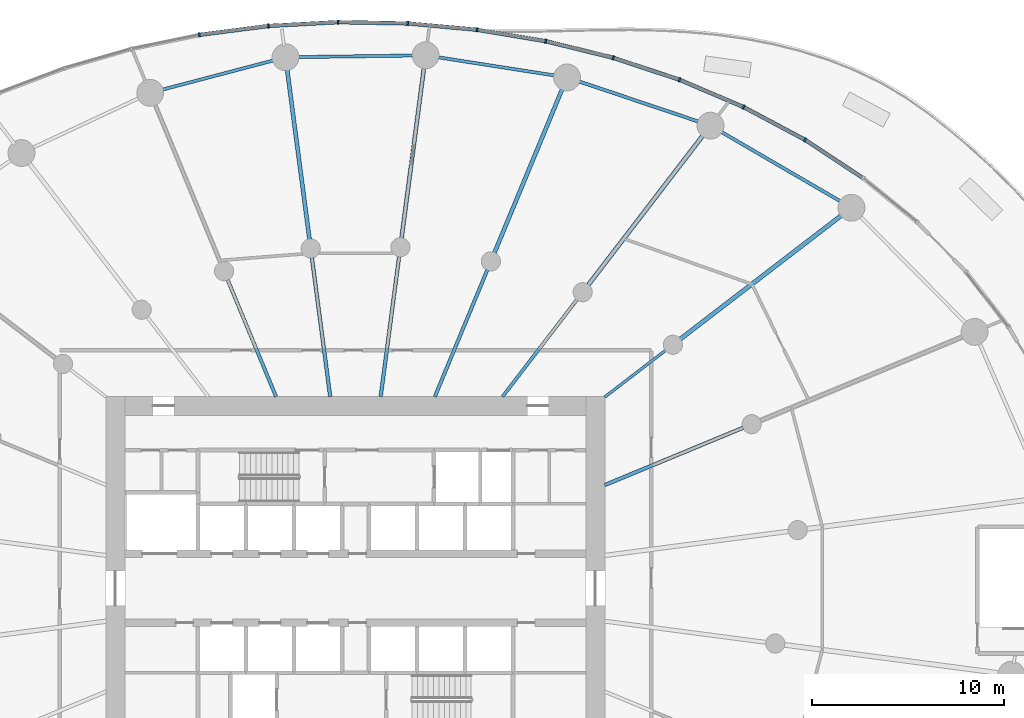
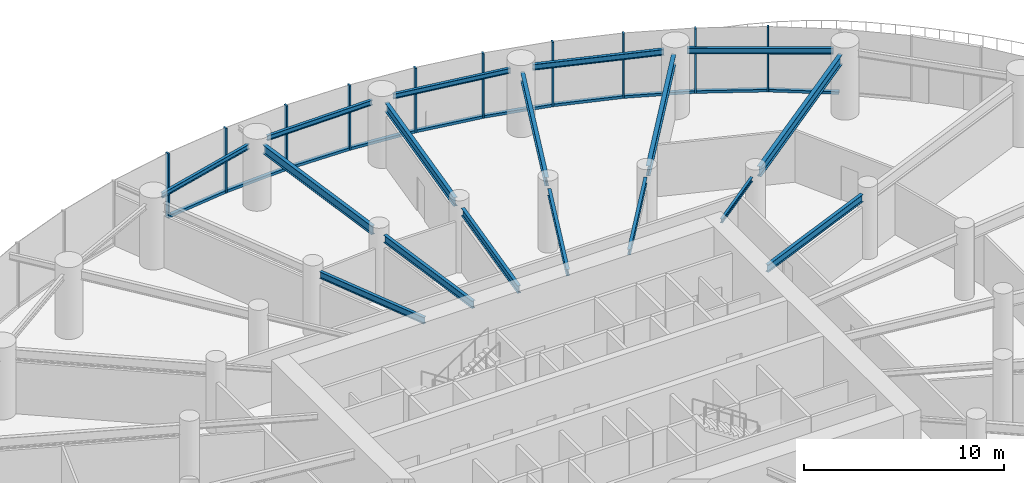
# One storey, part 6 of 21: 20 members, 17 beams, 2 elements without a shape of their own.
"""IFC4 building model written with IfcOpenShell, lengths in metres."""

from ifc_helpers import new_model, si_unit, direction, frame, origin, origin_2d, place, context, subcontext, project, spatial, rectangle, i_section, extrude, source, transform, mapped, material, layer, layer_set, material_profile, profile_set, type_object, element, aggregate, save


model = new_model("IFC4")

# Units and contexts
model_context = context("Model", 3, precision=1e-05, world=origin(), true_north=direction((0.0, 1.0)))
body_context = subcontext(model_context, "Body", "Model", "MODEL_VIEW")
ifc_project = project(units=[si_unit("LENGTHUNIT", "METRE"), si_unit("AREAUNIT", "SQUARE_METRE"), si_unit("VOLUMEUNIT", "CUBIC_METRE"), si_unit("PLANEANGLEUNIT", "RADIAN"), si_unit("MASSUNIT", "GRAM", prefix="KILO")], contexts=[model_context])

# Site, building, storey
site_placement = place(None, origin())
site = spatial("IfcSite", under=ifc_project, at=site_placement, CompositionType="ELEMENT")
building_placement = place(site_placement, origin())
building = spatial("IfcBuilding", under=site, at=building_placement, Name="Spindrift Exchange Tower", CompositionType="ELEMENT")
storey_placement = place(building_placement, frame((0.0, 0.0, 18.199951171875)))
storey = spatial("IfcBuildingStorey", under=building, at=storey_placement, Name="L04", CompositionType="ELEMENT", Elevation=18.199951171875)

# Beams
ifc_material_1 = material(Name="Steel Grade 300", Category="steel")
ifc_material_profile_1 = material_profile(ifc_material_1, i_section(OverallWidth=0.18994140625, OverallDepth=0.45703125, WebThickness=0.009033203125, FlangeThickness=0.014404296875, FilletRadius=0.013916015625, at=origin_2d()), Name="460UB74.6")
ifc_profile_set_1 = profile_set([ifc_material_profile_1], Name="Steel Grade 300")
beam_type_1 = type_object("IfcBeamType", Name="Floor Beam 460UB74.6 Steel Grade 300", PredefinedType="BEAM", material=ifc_profile_set_1)
shared_shape_1 = source(origin(), body_context, "Body", "SweptSolid", [
    extrude(i_section(OverallWidth=0.18994140625, OverallDepth=0.45703125, WebThickness=0.009033203125, FlangeThickness=0.014404296875, FilletRadius=0.013916015625, at=origin_2d()), origin(), (0.0, 0.0, 1.0), 7.808837890625),
])
beam_1_placement = place(storey_placement, frame((64.9814453125, 53.377197265625, 3.721435546875), z_axis=(0.92387965154, 0.382683145003, 0.0), x_axis=(-0.382683145003, 0.92387965154, 0.0)))
element("IfcBeam", 1, at=beam_1_placement, inside=storey, type_object=beam_type_1, Name="L04 radial beam R02A", PredefinedType="BEAM", context=body_context, shape_type="MappedRepresentation", body=[
    mapped(shared_shape_1, transform((0.0, 0.0, 0.0), scale=1.0)),
])
ifc_material_profile_2 = material_profile(ifc_material_1, i_section(OverallWidth=0.14599609375, OverallDepth=0.251953125, WebThickness=0.006103515625, FlangeThickness=0.008544921875, FilletRadius=0.011962890625, at=origin_2d()), Name="250UB31.4")
ifc_profile_set_2 = profile_set([ifc_material_profile_2], Name="Steel Grade 300")
beam_type_2 = type_object("IfcBeamType", Name="Floor Beam 250UB31.4 Steel Grade 300", PredefinedType="BEAM", material=ifc_profile_set_2)
shared_shape_2 = source(origin(), body_context, "Body", "SweptSolid", [
    extrude(i_section(OverallWidth=0.14599609375, OverallDepth=0.251953125, WebThickness=0.006103515625, FlangeThickness=0.008544921875, FilletRadius=0.011962890625, at=origin_2d()), origin(), (0.0, 0.0, 1.0), 3.99560546875),
])
beam_2_placement = place(storey_placement, frame((64.984130859375, 57.963134765625, 3.823974609375), z_axis=(0.793352561574, 0.608762443851, 0.0), x_axis=(-0.608762443851, 0.793352561574, 0.0)))
element("IfcBeam", 2, at=beam_2_placement, inside=storey, type_object=beam_type_2, Name="L04 radial beam R03A", PredefinedType="BEAM", context=body_context, shape_type="MappedRepresentation", body=[
    mapped(shared_shape_2, transform((0.0, 0.0, 0.0), scale=1.0)),
])
ifc_material_profile_3 = material_profile(ifc_material_1, i_section(OverallWidth=0.22802734375, OverallDepth=0.60693359375, WebThickness=0.01123046875, FlangeThickness=0.017333984375, FilletRadius=0.013916015625, at=origin_2d()), Name="610UB113")
ifc_profile_set_3 = profile_set([ifc_material_profile_3], Name="Steel Grade 300")
beam_type_3 = type_object("IfcBeamType", Name="Floor Beam 610UB113 Steel Grade 300", PredefinedType="BEAM", material=ifc_profile_set_3)
shared_shape_3 = source(origin(), body_context, "Body", "SweptSolid", [
    extrude(i_section(OverallWidth=0.22802734375, OverallDepth=0.60693359375, WebThickness=0.01123046875, FlangeThickness=0.017333984375, FilletRadius=0.013916015625, at=origin_2d()), origin(), (0.0, 0.0, 1.0), 10.66357421875),
])
beam_3_placement = place(storey_placement, frame((68.91552734375, 60.979736328125, 3.646484375), z_axis=(0.793357926757, 0.608755451764, 0.0), x_axis=(-0.608755451764, 0.793357926757, 0.0)))
element("IfcBeam", 3, at=beam_3_placement, inside=storey, type_object=beam_type_3, Name="L04 radial beam R03B", PredefinedType="BEAM", context=body_context, shape_type="MappedRepresentation", body=[
    mapped(shared_shape_3, transform((0.0, 0.0, 0.0), scale=1.0)),
])
ifc_material_profile_4 = material_profile(ifc_material_1, i_section(OverallWidth=0.172119140625, OverallDepth=0.35888671875, WebThickness=0.008056640625, FlangeThickness=0.012939453125, FilletRadius=0.013916015625, at=origin_2d()), Name="360UB56.7")
ifc_profile_set_4 = profile_set([ifc_material_profile_4], Name="Steel Grade 300")
beam_type_4 = type_object("IfcBeamType", Name="Floor Beam 360UB56.7 Steel Grade 300", PredefinedType="BEAM", material=ifc_profile_set_4)
shared_shape_4 = source(origin(), body_context, "Body", "SweptSolid", [
    extrude(i_section(OverallWidth=0.172119140625, OverallDepth=0.35888671875, WebThickness=0.008056640625, FlangeThickness=0.012939453125, FilletRadius=0.013916015625, at=origin_2d()), origin(), (0.0, 0.0, 1.0), 6.37646484375),
])
beam_4_placement = place(storey_placement, frame((59.6611328125, 57.984130859375, 3.7705078125), z_axis=(0.608766669952, 0.793349318747, 0.0), x_axis=(-0.793349318747, 0.608766669952, 0.0)))
element("IfcBeam", 4, at=beam_4_placement, inside=storey, type_object=beam_type_4, Name="L04 radial beam R04A", PredefinedType="BEAM", context=body_context, shape_type="MappedRepresentation", body=[
    mapped(shared_shape_4, transform((0.0, 0.0, 0.0), scale=1.0)),
])
shared_shape_5 = source(origin(), body_context, "Body", "SweptSolid", [
    extrude(i_section(OverallWidth=0.22802734375, OverallDepth=0.60693359375, WebThickness=0.01123046875, FlangeThickness=0.017333984375, FilletRadius=0.013916015625, at=origin_2d()), origin(), (0.0, 0.0, 1.0), 9.87548828125),
])
beam_5_placement = place(storey_placement, frame((64.127197265625, 63.8046875, 3.646484375), z_axis=(0.608772470836, 0.793344867477, 0.0), x_axis=(-0.793344867477, 0.608772470836, 0.0)))
element("IfcBeam", 5, at=beam_5_placement, inside=storey, type_object=beam_type_3, Name="L04 radial beam R04B", PredefinedType="BEAM", context=body_context, shape_type="MappedRepresentation", body=[
    mapped(shared_shape_5, transform((0.0, 0.0, 0.0), scale=1.0)),
])
ifc_material_profile_5 = material_profile(ifc_material_1, i_section(OverallWidth=0.177978515625, OverallDepth=0.406005859375, WebThickness=0.0078125, FlangeThickness=0.0126953125, FilletRadius=0.013916015625, at=origin_2d()), Name="410UB59.7")
ifc_profile_set_5 = profile_set([ifc_material_profile_5], Name="Steel Grade 300")
beam_type_5 = type_object("IfcBeamType", Name="Floor Beam 410UB59.7 Steel Grade 300", PredefinedType="BEAM", material=ifc_profile_set_5)
shared_shape_6 = source(origin(), body_context, "Body", "SweptSolid", [
    extrude(i_section(OverallWidth=0.177978515625, OverallDepth=0.406005859375, WebThickness=0.0078125, FlangeThickness=0.0126953125, FilletRadius=0.013916015625, at=origin_2d()), origin(), (0.0, 0.0, 1.0), 7.150634765625),
])
beam_6_placement = place(storey_placement, frame((56.134521484375, 57.9814453125, 3.7470703125), z_axis=(0.382665393358, 0.923887004306, 0.0), x_axis=(-0.923887004306, 0.382665393358, 0.0)))
element("IfcBeam", 6, at=beam_6_placement, inside=storey, type_object=beam_type_5, Name="L04 radial beam R05A", PredefinedType="BEAM", context=body_context, shape_type="MappedRepresentation", body=[
    mapped(shared_shape_6, transform((0.0, 0.0, 0.0), scale=1.0)),
])
ifc_material_profile_6 = material_profile(ifc_material_1, i_section(OverallWidth=0.208984375, OverallDepth=0.532958984375, WebThickness=0.01025390625, FlangeThickness=0.015625, FilletRadius=0.013916015625, at=origin_2d()), Name="530UB92.4")
ifc_profile_set_6 = profile_set([ifc_material_profile_6], Name="Steel Grade 300")
beam_type_6 = type_object("IfcBeamType", Name="Floor Beam 530UB92.4 Steel Grade 300", PredefinedType="BEAM", material=ifc_profile_set_6)
shared_shape_7 = source(origin(), body_context, "Body", "SweptSolid", [
    extrude(i_section(OverallWidth=0.208984375, OverallDepth=0.532958984375, WebThickness=0.01025390625, FlangeThickness=0.015625, FilletRadius=0.013916015625, at=origin_2d()), origin(), (0.0, 0.0, 1.0), 9.309326171875),
])
beam_7_placement = place(storey_placement, frame((59.23828125, 65.474853515625, 3.68359375), z_axis=(0.382685326691, 0.923878747853, 0.0), x_axis=(-0.923878747853, 0.382685326691, 0.0)))
element("IfcBeam", 7, at=beam_7_placement, inside=storey, type_object=beam_type_6, Name="L04 radial beam R05B", PredefinedType="BEAM", context=body_context, shape_type="MappedRepresentation", body=[
    mapped(shared_shape_7, transform((0.0, 0.0, 0.0), scale=1.0)),
])
shared_shape_8 = source(origin(), body_context, "Body", "SweptSolid", [
    extrude(i_section(OverallWidth=0.18994140625, OverallDepth=0.45703125, WebThickness=0.009033203125, FlangeThickness=0.014404296875, FilletRadius=0.013916015625, at=origin_2d()), origin(), (0.0, 0.0, 1.0), 7.374267578125),
])
beam_8_placement = place(storey_placement, frame((53.31396484375, 57.980224609375, 3.721435546875), z_axis=(0.130539295622, 0.99144313619, 0.0), x_axis=(-0.99144313619, 0.130539295622, 0.0)))
element("IfcBeam", 8, at=beam_8_placement, inside=storey, type_object=beam_type_1, Name="L04 radial beam R06A", PredefinedType="BEAM", context=body_context, shape_type="MappedRepresentation", body=[
    mapped(shared_shape_8, transform((0.0, 0.0, 0.0), scale=1.0)),
])
shared_shape_9 = source(origin(), body_context, "Body", "SweptSolid", [
    extrude(i_section(OverallWidth=0.208984375, OverallDepth=0.532958984375, WebThickness=0.01025390625, FlangeThickness=0.015625, FilletRadius=0.013916015625, at=origin_2d()), origin(), (0.0, 0.0, 1.0), 9.020263671875),
])
beam_9_placement = place(storey_placement, frame((54.40185546875, 66.2431640625, 3.68359375), z_axis=(0.13051122338, 0.991446831944, 0.0), x_axis=(-0.991446831944, 0.13051122338, 0.0)))
element("IfcBeam", 9, at=beam_9_placement, inside=storey, type_object=beam_type_6, Name="L04 radial beam R06B", PredefinedType="BEAM", context=body_context, shape_type="MappedRepresentation", body=[
    mapped(shared_shape_9, transform((0.0, 0.0, 0.0), scale=1.0)),
])
shared_shape_10 = source(origin(), body_context, "Body", "SweptSolid", [
    extrude(i_section(OverallWidth=0.18994140625, OverallDepth=0.45703125, WebThickness=0.009033203125, FlangeThickness=0.014404296875, FilletRadius=0.013916015625, at=origin_2d()), origin(), (0.0, 0.0, 1.0), 7.3095703125),
])
beam_10_placement = place(storey_placement, frame((50.68603515625, 57.980224609375, 3.721435546875), z_axis=(-0.130527087244, 0.991444743541, 0.0), x_axis=(-0.991444743541, -0.130527087244, 0.0)))
element("IfcBeam", 10, at=beam_10_placement, inside=storey, type_object=beam_type_1, Name="L04 radial beam R07A", PredefinedType="BEAM", context=body_context, shape_type="MappedRepresentation", body=[
    mapped(shared_shape_10, transform((0.0, 0.0, 0.0), scale=1.0)),
])
shared_shape_11 = source(origin(), body_context, "Body", "SweptSolid", [
    extrude(i_section(OverallWidth=0.208984375, OverallDepth=0.532958984375, WebThickness=0.01025390625, FlangeThickness=0.015625, FilletRadius=0.013916015625, at=origin_2d()), origin(), (0.0, 0.0, 1.0), 8.98388671875),
])
beam_11_placement = place(storey_placement, frame((49.606689453125, 66.17919921875, 3.68359375), z_axis=(-0.130524106785, 0.991445135924, 0.0), x_axis=(-0.991445135924, -0.130524106785, 0.0)))
element("IfcBeam", 11, at=beam_11_placement, inside=storey, type_object=beam_type_6, Name="L04 radial beam R07B", PredefinedType="BEAM", context=body_context, shape_type="MappedRepresentation", body=[
    mapped(shared_shape_11, transform((0.0, 0.0, 0.0), scale=1.0)),
])
shared_shape_12 = source(origin(), body_context, "Body", "SweptSolid", [
    extrude(i_section(OverallWidth=0.177978515625, OverallDepth=0.406005859375, WebThickness=0.0078125, FlangeThickness=0.0126953125, FilletRadius=0.013916015625, at=origin_2d()), origin(), (0.0, 0.0, 1.0), 6.594482421875),
])
beam_12_placement = place(storey_placement, frame((47.865478515625, 57.9814453125, 3.7470703125), z_axis=(-0.382692929746, 0.92387559851, 0.0), x_axis=(-0.92387559851, -0.382692929746, 0.0)))
element("IfcBeam", 12, at=beam_12_placement, inside=storey, type_object=beam_type_5, Name="L04 radial beam R08A", PredefinedType="BEAM", context=body_context, shape_type="MappedRepresentation", body=[
    mapped(shared_shape_12, transform((0.0, 0.0, 0.0), scale=1.0)),
])
ifc_material_profile_7 = material_profile(ifc_material_1, i_section(OverallWidth=0.172119140625, OverallDepth=0.35888671875, WebThickness=0.008056640625, FlangeThickness=0.012939453125, FilletRadius=0.013916015625, at=origin_2d()), Name="360UB56.7")
ifc_profile_set_7 = profile_set([ifc_material_profile_7], Name="Steel Grade 300")
beam_type_7 = type_object("IfcBeamType", Name="Edge Beam 360UB56.7 Steel Grade 300", PredefinedType="SPANDREL", material=ifc_profile_set_7)
shared_shape_13 = source(origin(), body_context, "Body", "SweptSolid", [
    extrude(i_section(OverallWidth=0.172119140625, OverallDepth=0.35888671875, WebThickness=0.008056640625, FlangeThickness=0.012939453125, FilletRadius=0.013916015625, at=origin_2d()), origin(), (0.0, 0.0, 1.0), 7.33740234375),
])
beam_13_placement = place(storey_placement, frame((77.33447265625, 68.1162109375, 3.7705078125), z_axis=(-0.864211826308, 0.503128134047, 0.0), x_axis=(-0.503128134047, -0.864211826308, 0.0)))
element("IfcBeam", 13, at=beam_13_placement, inside=storey, type_object=beam_type_7, Name="L04 edge beam E03", PredefinedType="SPANDREL", context=body_context, shape_type="MappedRepresentation", body=[
    mapped(shared_shape_13, transform((0.0, 0.0, 0.0), scale=1.0)),
])
shared_shape_14 = source(origin(), body_context, "Body", "SweptSolid", [
    extrude(i_section(OverallWidth=0.172119140625, OverallDepth=0.35888671875, WebThickness=0.008056640625, FlangeThickness=0.012939453125, FilletRadius=0.013916015625, at=origin_2d()), origin(), (0.0, 0.0, 1.0), 6.72021484375),
])
beam_14_placement = place(storey_placement, frame((69.9423828125, 72.28466796875, 3.7705078125), z_axis=(-0.947851749681, 0.318711563372, 0.0), x_axis=(-0.318711563372, -0.947851749681, 0.0)))
element("IfcBeam", 14, at=beam_14_placement, inside=storey, type_object=beam_type_7, Name="L04 edge beam E04", PredefinedType="SPANDREL", context=body_context, shape_type="MappedRepresentation", body=[
    mapped(shared_shape_14, transform((0.0, 0.0, 0.0), scale=1.0)),
])
ifc_material_profile_8 = material_profile(ifc_material_1, i_section(OverallWidth=0.1650390625, OverallDepth=0.303955078125, WebThickness=0.006103515625, FlangeThickness=0.01025390625, FilletRadius=0.011474609375, at=origin_2d()), Name="310UB40.4")
ifc_profile_set_8 = profile_set([ifc_material_profile_8], Name="Steel Grade 300")
beam_type_8 = type_object("IfcBeamType", Name="Edge Beam 310UB40.4 Steel Grade 300", PredefinedType="SPANDREL", material=ifc_profile_set_8)
shared_shape_15 = source(origin(), body_context, "Body", "SweptSolid", [
    extrude(i_section(OverallWidth=0.1650390625, OverallDepth=0.303955078125, WebThickness=0.006103515625, FlangeThickness=0.01025390625, FilletRadius=0.011474609375, at=origin_2d()), origin(), (0.0, 0.0, 1.0), 6.297119140625),
])
beam_15_placement = place(storey_placement, frame((62.44970703125, 74.70068359375, 3.798095703125), z_axis=(-0.98802902915, 0.154268070436, 0.0), x_axis=(-0.154268070436, -0.98802902915, 0.0)))
element("IfcBeam", 15, at=beam_15_placement, inside=storey, type_object=beam_type_8, Name="L04 edge beam E05", PredefinedType="SPANDREL", context=body_context, shape_type="MappedRepresentation", body=[
    mapped(shared_shape_15, transform((0.0, 0.0, 0.0), scale=1.0)),
])
shared_shape_16 = source(origin(), body_context, "Body", "SweptSolid", [
    extrude(i_section(OverallWidth=0.1650390625, OverallDepth=0.303955078125, WebThickness=0.006103515625, FlangeThickness=0.01025390625, FilletRadius=0.011474609375, at=origin_2d()), origin(), (0.0, 0.0, 1.0), 6.13720703125),
])
beam_16_placement = place(storey_placement, frame((55.074951171875, 75.75341796875, 3.798095703125), z_axis=(-0.999905820907, -0.013724041543, 0.0), x_axis=(0.013724041543, -0.999905820907, 0.0)))
element("IfcBeam", 16, at=beam_16_placement, inside=storey, type_object=beam_type_8, Name="L04 edge beam E06", PredefinedType="SPANDREL", context=body_context, shape_type="MappedRepresentation", body=[
    mapped(shared_shape_16, transform((0.0, 0.0, 0.0), scale=1.0)),
])
shared_shape_17 = source(origin(), body_context, "Body", "SweptSolid", [
    extrude(i_section(OverallWidth=0.1650390625, OverallDepth=0.303955078125, WebThickness=0.006103515625, FlangeThickness=0.01025390625, FilletRadius=0.011474609375, at=origin_2d()), origin(), (0.0, 0.0, 1.0), 6.128173828125),
])
beam_17_placement = place(storey_placement, frame((47.79736328125, 75.513916015625, 3.798095703125), z_axis=(-0.967147261855, -0.254216785216, 0.0), x_axis=(0.254216785216, -0.967147261855, 0.0)))
element("IfcBeam", 17, at=beam_17_placement, inside=storey, type_object=beam_type_8, Name="L04 edge beam E07", PredefinedType="SPANDREL", context=body_context, shape_type="MappedRepresentation", body=[
    mapped(shared_shape_17, transform((0.0, 0.0, 0.0), scale=1.0)),
])

# Curtain wall, members
ifc_material_2 = material(Name="Fritted laminated glass with bronze frame", Category="glass")
ifc_layer = layer(ifc_material_2, 0.219970703125)
ifc_layer_set = layer_set([ifc_layer], Name="PODIUM BRONZE GLAZED WALL")
curtain_wall_type = type_object("IfcCurtainWallType", Name="PODIUM BRONZE GLAZED WALL", PredefinedType="NOTDEFINED", material=ifc_layer_set)
curtain_wall_1_placement = place(storey_placement, origin())
curtain_wall_1 = element("IfcCurtainWall", 18, at=curtain_wall_1_placement, inside=storey, type_object=curtain_wall_type, Name="L04 Podium Bronze Glazed Wall run 2", PredefinedType="NOTDEFINED")
ifc_material_3 = material(Name="Bronze anodised aluminium", Category="aluminium")
ifc_material_profile_9 = material_profile(ifc_material_3, rectangle(XDim=0.090087890625, YDim=0.219970703125, at=origin_2d()), Name="PODIUM BRONZE GLAZED WALL MULLION 90X220")
ifc_profile_set_9 = profile_set([ifc_material_profile_9], Name="Bronze anodised aluminium")
member_type_1 = type_object("IfcMemberType", Name="PODIUM BRONZE GLAZED WALL MULLION 90X220", PredefinedType="MULLION", material=ifc_profile_set_9)
shared_shape_18 = source(origin(), body_context, "Body", "SweptSolid", [
    extrude(rectangle(XDim=0.090087890625, YDim=0.219970703125, at=origin_2d()), origin(), (0.0, 0.0, 1.0), 3.949951171875),
])
member_1_placement = place(storey_placement, frame((75.41357421875, 71.364013671875, 0.0), z_axis=(0.0, 0.0, 1.0), x_axis=(-0.859576504333, 0.511007077445, 0.0)))
member_1 = element("IfcMember", 19, at=member_1_placement, type_object=member_type_1, Name="L04 mullion CW-P.9", PredefinedType="MULLION", context=body_context, shape_type="MappedRepresentation", body=[
    mapped(shared_shape_18, transform((0.0, 0.0, 0.0), scale=1.0)),
])
member_2_placement = place(storey_placement, frame((72.212890625, 73.06982421875, 0.0), z_axis=(0.0, 0.0, 1.0), x_axis=(-0.902161476757, 0.431398504697, 0.0)))
member_2 = element("IfcMember", 20, at=member_2_placement, type_object=member_type_1, Name="L04 mullion CW-P.10", PredefinedType="MULLION", context=body_context, shape_type="MappedRepresentation", body=[
    mapped(shared_shape_18, transform((0.0, 0.0, 0.0), scale=1.0)),
])
member_3_placement = place(storey_placement, frame((68.87548828125, 74.490478515625, 0.0), z_axis=(0.0, 0.0, 1.0), x_axis=(-0.935479053245, 0.353382145757, 0.0)))
member_3 = element("IfcMember", 21, at=member_3_placement, type_object=member_type_1, Name="L04 mullion CW-P.11", PredefinedType="MULLION", context=body_context, shape_type="MappedRepresentation", body=[
    mapped(shared_shape_18, transform((0.0, 0.0, 0.0), scale=1.0)),
])
member_4_placement = place(storey_placement, frame((65.43212890625, 75.63134765625, 0.0), z_axis=(0.0, 0.0, 1.0), x_axis=(-0.960884228784, 0.276950354529, 0.0)))
member_4 = element("IfcMember", 22, at=member_4_placement, type_object=member_type_1, Name="L04 mullion CW-P.12", PredefinedType="MULLION", context=body_context, shape_type="MappedRepresentation", body=[
    mapped(shared_shape_18, transform((0.0, 0.0, 0.0), scale=1.0)),
])

curtain_wall_2_placement = place(storey_placement, origin())
curtain_wall_2 = element("IfcCurtainWall", 23, at=curtain_wall_2_placement, inside=storey, type_object=curtain_wall_type, Name="L04 Podium Bronze Glazed Wall run 3", PredefinedType="NOTDEFINED")
member_5_placement = place(storey_placement, frame((61.909912109375, 76.498046875, 0.0), z_axis=(0.0, 0.0, 1.0), x_axis=(-0.979401994685, 0.201920114915, 0.0)))
member_5 = element("IfcMember", 24, at=member_5_placement, type_object=member_type_1, Name="L04 mullion CW-P.13", PredefinedType="MULLION", context=body_context, shape_type="MappedRepresentation", body=[
    mapped(shared_shape_18, transform((0.0, 0.0, 0.0), scale=1.0)),
])
member_6_placement = place(storey_placement, frame((58.33203125, 77.09521484375, 0.0), z_axis=(0.0, 0.0, 1.0), x_axis=(-0.991779042534, 0.127962224075, 0.0)))
member_6 = element("IfcMember", 25, at=member_6_placement, type_object=member_type_1, Name="L04 mullion CW-P.14", PredefinedType="MULLION", context=body_context, shape_type="MappedRepresentation", body=[
    mapped(shared_shape_18, transform((0.0, 0.0, 0.0), scale=1.0)),
])
member_7_placement = place(storey_placement, frame((54.7197265625, 77.42578125, 0.0), z_axis=(0.0, 0.0, 1.0), x_axis=(-0.998502626093, 0.054703799552, 0.0)))
member_7 = element("IfcMember", 26, at=member_7_placement, type_object=member_type_1, Name="L04 mullion CW-P.15", PredefinedType="MULLION", context=body_context, shape_type="MappedRepresentation", body=[
    mapped(shared_shape_18, transform((0.0, 0.0, 0.0), scale=1.0)),
])
member_8_placement = place(storey_placement, frame((51.093017578125, 77.49169921875, 0.0), z_axis=(0.0, 0.0, 1.0), x_axis=(-0.999833990796, -0.018220616052, 0.0)))
member_8 = element("IfcMember", 27, at=member_8_placement, type_object=member_type_1, Name="L04 mullion CW-P.16", PredefinedType="MULLION", context=body_context, shape_type="MappedRepresentation", body=[
    mapped(shared_shape_18, transform((0.0, 0.0, 0.0), scale=1.0)),
])
member_9_placement = place(storey_placement, frame((47.470947265625, 77.293701171875, 0.0), z_axis=(0.0, 0.0, 1.0), x_axis=(-0.995826086123, -0.09127105892, 0.0)))
member_9 = element("IfcMember", 28, at=member_9_placement, type_object=member_type_1, Name="L04 mullion CW-P.17", PredefinedType="MULLION", context=body_context, shape_type="MappedRepresentation", body=[
    mapped(shared_shape_18, transform((0.0, 0.0, 0.0), scale=1.0)),
])
member_10_placement = place(storey_placement, frame((43.873291015625, 76.830078125, 0.0), z_axis=(0.0, 0.0, 1.0), x_axis=(-0.986321176845, -0.164834875275, 0.0)))
member_10 = element("IfcMember", 29, at=member_10_placement, type_object=member_type_1, Name="L04 mullion CW-P.18", PredefinedType="MULLION", context=body_context, shape_type="MappedRepresentation", body=[
    mapped(shared_shape_18, transform((0.0, 0.0, 0.0), scale=1.0)),
])

# Member
ifc_material_profile_10 = material_profile(ifc_material_3, rectangle(XDim=0.199951171875, YDim=0.159912109375, at=origin_2d()), Name="PODIUM BRONZE GLAZED WALL TRANSOM 200X160")
ifc_profile_set_10 = profile_set([ifc_material_profile_10], Name="Bronze anodised aluminium")
member_type_2 = type_object("IfcMemberType", Name="PODIUM BRONZE GLAZED WALL TRANSOM 200X160", PredefinedType="USERDEFINED", material=ifc_profile_set_10)
shared_shape_19 = source(origin(), body_context, "Body", "SweptSolid", [
    extrude(rectangle(XDim=0.199951171875, YDim=0.159912109375, at=origin_2d()), origin(), (0.0, 0.0, 1.0), 3.53662109375),
])
member_11_placement = place(storey_placement, frame((78.403564453125, 69.39208984375, 0.080078125), z_axis=(-0.834811831843, 0.550535380712, 0.0), x_axis=(-0.550535380712, -0.834811831843, 0.0)))
member_11 = element("IfcMember", 30, at=member_11_placement, type_object=member_type_2, Name="L04 transom CW-P.8", ObjectType="TRANSOM", PredefinedType="USERDEFINED", context=body_context, shape_type="MappedRepresentation", body=[
    mapped(shared_shape_19, transform((0.0, 0.0, 0.0), scale=1.0)),
])

shared_shape_20 = source(origin(), body_context, "Body", "SweptSolid", [
    extrude(rectangle(XDim=0.199951171875, YDim=0.159912109375, at=origin_2d()), origin(), (0.0, 0.0, 1.0), 3.536865234375),
])
member_12_placement = place(storey_placement, frame((75.373779296875, 71.38525390625, 0.080078125), z_axis=(-0.88248665671, 0.470337432837, 0.0), x_axis=(-0.470337432837, -0.88248665671, 0.0)))
member_12 = element("IfcMember", 31, at=member_12_placement, type_object=member_type_2, Name="L04 transom CW-P.9", ObjectType="TRANSOM", PredefinedType="USERDEFINED", context=body_context, shape_type="MappedRepresentation", body=[
    mapped(shared_shape_20, transform((0.0, 0.0, 0.0), scale=1.0)),
])

shared_shape_21 = source(origin(), body_context, "Body", "SweptSolid", [
    extrude(rectangle(XDim=0.199951171875, YDim=0.159912109375, at=origin_2d()), origin(), (0.0, 0.0, 1.0), 3.537109375),
])
member_13_placement = place(storey_placement, frame((72.17138671875, 73.08740234375, 0.080078125), z_axis=(-0.920123944878, 0.391627279517, 0.0), x_axis=(-0.391627279517, -0.920123944878, 0.0)))
member_13 = element("IfcMember", 32, at=member_13_placement, type_object=member_type_2, Name="L04 transom CW-P.10", ObjectType="TRANSOM", PredefinedType="USERDEFINED", context=body_context, shape_type="MappedRepresentation", body=[
    mapped(shared_shape_21, transform((0.0, 0.0, 0.0), scale=1.0)),
])

shared_shape_22 = source(origin(), body_context, "Body", "SweptSolid", [
    extrude(rectangle(XDim=0.199951171875, YDim=0.159912109375, at=origin_2d()), origin(), (0.0, 0.0, 1.0), 3.537353515625),
])
member_14_placement = place(storey_placement, frame((68.832763671875, 74.504638671875, 0.080078125), z_axis=(-0.949254579468, 0.31450873336, 0.0), x_axis=(-0.31450873336, -0.949254579468, 0.0)))
member_14 = element("IfcMember", 33, at=member_14_placement, type_object=member_type_2, Name="L04 transom CW-P.11", ObjectType="TRANSOM", PredefinedType="USERDEFINED", context=body_context, shape_type="MappedRepresentation", body=[
    mapped(shared_shape_22, transform((0.0, 0.0, 0.0), scale=1.0)),
])

member_15_placement = place(storey_placement, frame((65.388427734375, 75.64208984375, 0.080078125), z_axis=(-0.971033112864, 0.238944959609, 0.0), x_axis=(-0.238944959609, -0.971033112864, 0.0)))
member_15 = element("IfcMember", 34, at=member_15_placement, type_object=member_type_2, Name="L04 transom CW-P.12", ObjectType="TRANSOM", PredefinedType="USERDEFINED", context=body_context, shape_type="MappedRepresentation", body=[
    mapped(shared_shape_22, transform((0.0, 0.0, 0.0), scale=1.0)),
])

aggregate(curtain_wall_1, [member_11, member_1, member_12, member_2, member_13, member_3, member_14, member_4, member_15])

member_16_placement = place(storey_placement, frame((58.287353515625, 77.09912109375, 0.080078125), z_axis=(-0.995835302099, 0.091170450764, 0.0), x_axis=(-0.091170450764, -0.995835302099, 0.0)))
member_16 = element("IfcMember", 35, at=member_16_placement, type_object=member_type_2, Name="L04 transom CW-P.14", ObjectType="TRANSOM", PredefinedType="USERDEFINED", context=body_context, shape_type="MappedRepresentation", body=[
    mapped(shared_shape_22, transform((0.0, 0.0, 0.0), scale=1.0)),
])

member_17_placement = place(storey_placement, frame((54.6748046875, 77.426513671875, 0.080078125), z_axis=(-0.999833998204, 0.018220209534, 0.0), x_axis=(-0.018220209534, -0.999833998204, 0.0)))
member_17 = element("IfcMember", 36, at=member_17_placement, type_object=member_type_2, Name="L04 transom CW-P.15", ObjectType="TRANSOM", PredefinedType="USERDEFINED", context=body_context, shape_type="MappedRepresentation", body=[
    mapped(shared_shape_22, transform((0.0, 0.0, 0.0), scale=1.0)),
])

member_18_placement = place(storey_placement, frame((47.42626953125, 77.287841796875, 0.080078125), z_axis=(-0.991797070454, -0.127822419936, 0.0), x_axis=(0.127822419936, -0.991797070454, 0.0)))
member_18 = element("IfcMember", 37, at=member_18_placement, type_object=member_type_2, Name="L04 transom CW-P.17", ObjectType="TRANSOM", PredefinedType="USERDEFINED", context=body_context, shape_type="MappedRepresentation", body=[
    mapped(shared_shape_22, transform((0.0, 0.0, 0.0), scale=1.0)),
])

shared_shape_23 = source(origin(), body_context, "Body", "SweptSolid", [
    extrude(rectangle(XDim=0.199951171875, YDim=0.159912109375, at=origin_2d()), origin(), (0.0, 0.0, 1.0), 3.53759765625),
])
member_19_placement = place(storey_placement, frame((61.86572265625, 76.50537109375, 0.080078125), z_axis=(-0.986360328466, 0.164600432647, 0.0), x_axis=(-0.164600432647, -0.986360328466, 0.0)))
member_19 = element("IfcMember", 38, at=member_19_placement, type_object=member_type_2, Name="L04 transom CW-P.13", ObjectType="TRANSOM", PredefinedType="USERDEFINED", context=body_context, shape_type="MappedRepresentation", body=[
    mapped(shared_shape_23, transform((0.0, 0.0, 0.0), scale=1.0)),
])

member_20_placement = place(storey_placement, frame((51.048095703125, 77.4892578125, 0.080078125), z_axis=(-0.998508807536, -0.054590853384, 0.0), x_axis=(0.054590853384, -0.998508807536, 0.0)))
member_20 = element("IfcMember", 39, at=member_20_placement, type_object=member_type_2, Name="L04 transom CW-P.16", ObjectType="TRANSOM", PredefinedType="USERDEFINED", context=body_context, shape_type="MappedRepresentation", body=[
    mapped(shared_shape_23, transform((0.0, 0.0, 0.0), scale=1.0)),
])

aggregate(curtain_wall_2, [member_5, member_19, member_6, member_16, member_7, member_17, member_8, member_20, member_9, member_18, member_10])

save(model, "model.ifc")
